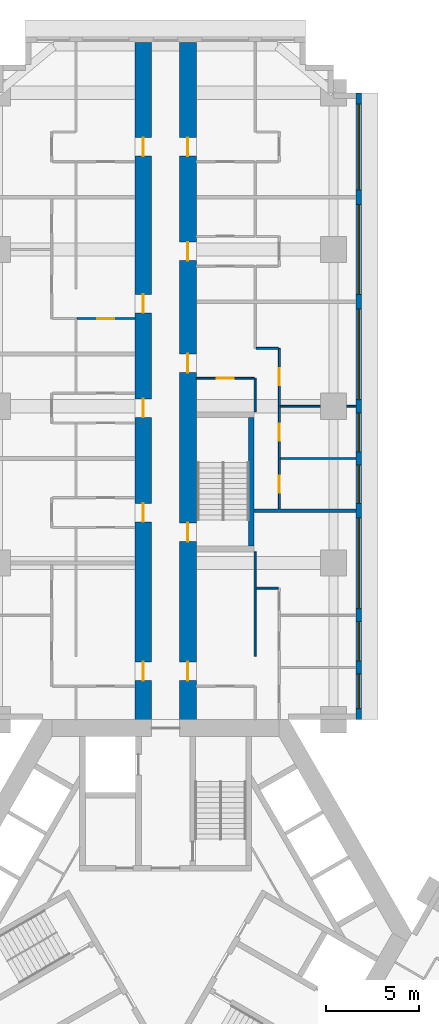
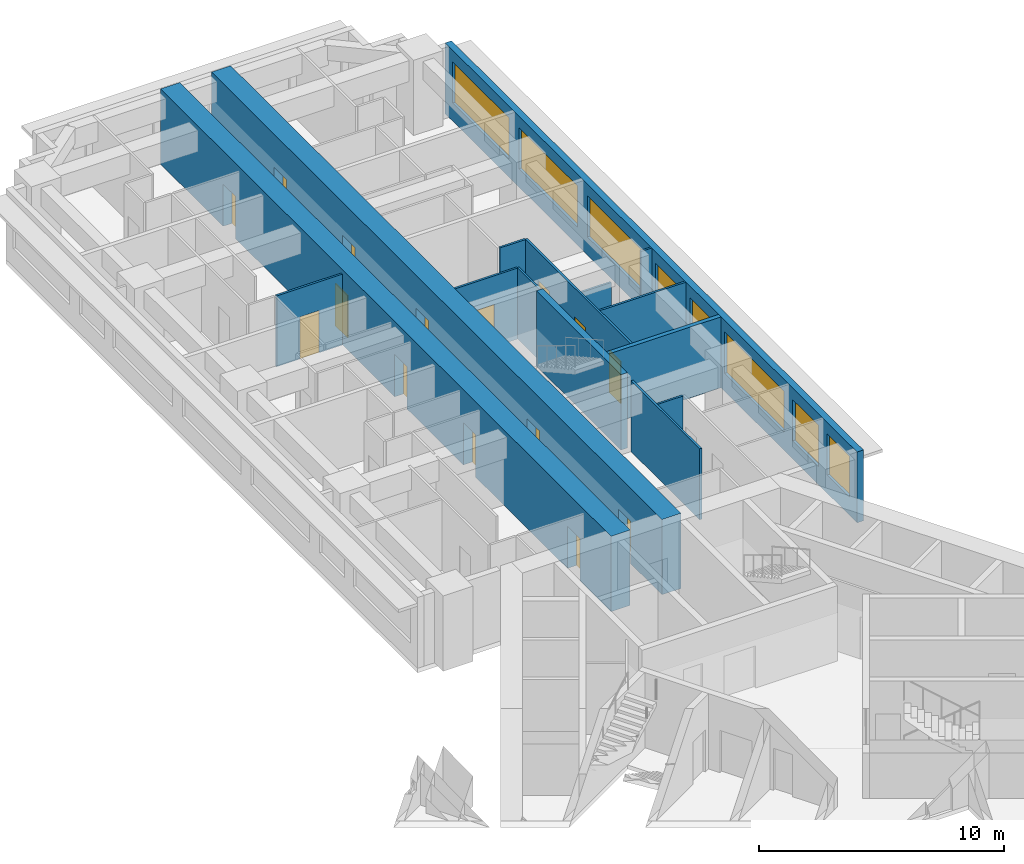
# One storey, part 10 of 16: 15 doors, 15 walls, 8 windows, 23 openings.
"""IFC4 building model written with IfcOpenShell, lengths in metres."""

from ifc_helpers import new_model, si_unit, direction, frame, frame_2d, origin, place, context, subcontext, project, spatial, rectangle, extrude, material, layer, layer_set, type_object, element, fill, save


model = new_model("IFC4")

# Units and contexts
model_context = context("Model", 3, precision=1e-05, world=origin(), true_north=direction((0.0, 1.0)))
body_context = subcontext(model_context, "Body", "Model", "MODEL_VIEW")
ifc_project = project(units=[si_unit("LENGTHUNIT", "METRE"), si_unit("AREAUNIT", "SQUARE_METRE"), si_unit("VOLUMEUNIT", "CUBIC_METRE"), si_unit("PLANEANGLEUNIT", "RADIAN"), si_unit("MASSUNIT", "GRAM", prefix="KILO")], contexts=[model_context])

# Site, building, storey
site_placement = place(None, origin())
site = spatial("IfcSite", under=ifc_project, at=site_placement, CompositionType="ELEMENT")
building_placement = place(site_placement, origin())
building = spatial("IfcBuilding", under=site, at=building_placement, Name="Impinga Residences", CompositionType="ELEMENT")
storey_placement = place(building_placement, frame((0.0, 0.0, 59.75)))
storey = spatial("IfcBuildingStorey", under=building, at=storey_placement, Name="L14", CompositionType="ELEMENT", Elevation=59.75)

# Wall, openings, doors
ifc_material_1 = material(Name="Concrete C70/85", Category="concrete")
ifc_layer_1 = layer(ifc_material_1, 0.89990234375)
ifc_layer_set_1 = layer_set([ifc_layer_1], Name="Concrete C70/85")
wall_type_1 = type_object("IfcWallType", Name="BW1 corridor buttress wall, L05 to L22 900", PredefinedType="SHEAR", material=ifc_layer_set_1)
wall_1_placement = place(storey_placement, frame((-1.199951171875, 10.9814453125, 0.0), z_axis=(0.0, 0.0, 1.0), x_axis=(0.0, 1.0, 0.0)))
wall_1 = element("IfcWall", 1, at=wall_1_placement, inside=storey, type_object=wall_type_1, Name="Corridor wall BW1 NC L14", PredefinedType="SHEAR", context=body_context, shape_type="SweptSolid", body=[
    extrude(rectangle(XDim=36.75, YDim=0.89990234375, at=frame_2d((18.375, 0.0))), origin(), (0.0, 0.0, 1.0), 3.75),
])
opening_1_placement = place(wall_1_placement, frame((2.550048828125, 0.0, 0.0)))
opening_1 = element("IfcOpeningElement", 2, at=opening_1_placement, cuts=wall_1, Name="Opening D1", PredefinedType="OPENING", context=body_context, shape_type="SweptSolid", body=[
    extrude(rectangle(XDim=1.0, YDim=2.10009765625, at=frame_2d((0.5, 1.050048828125))), frame((0.0, 0.4599609375, 0.0), z_axis=(0.0, -1.0, 0.0), x_axis=(1.0, 0.0, 0.0)), (0.0, 0.0, 1.0), 0.919921875),
])
opening_2_placement = place(wall_1_placement, frame((11.050048828125, 0.0, 0.0)))
opening_2 = element("IfcOpeningElement", 3, at=opening_2_placement, cuts=wall_1, Name="Opening D1", PredefinedType="OPENING", context=body_context, shape_type="SweptSolid", body=[
    extrude(rectangle(XDim=1.0, YDim=2.10009765625, at=frame_2d((0.5, 1.050048828125))), frame((0.0, 0.4599609375, 0.0), z_axis=(0.0, -1.0, 0.0), x_axis=(1.0, 0.0, 0.0)), (0.0, 0.0, 1.0), 0.919921875),
])
opening_3_placement = place(wall_1_placement, frame((16.64990234375, 0.0, 0.0)))
opening_3 = element("IfcOpeningElement", 4, at=opening_3_placement, cuts=wall_1, Name="Opening D1", PredefinedType="OPENING", context=body_context, shape_type="SweptSolid", body=[
    extrude(rectangle(XDim=1.0, YDim=2.10009765625, at=frame_2d((0.5, 1.050048828125))), frame((0.0, 0.4599609375, 0.0), z_axis=(0.0, -1.0, 0.0), x_axis=(1.0, 0.0, 0.0)), (0.0, 0.0, 1.0), 0.919921875),
])
opening_4_placement = place(wall_1_placement, frame((22.25, 0.0, 0.0)))
opening_4 = element("IfcOpeningElement", 5, at=opening_4_placement, cuts=wall_1, Name="Opening D1", PredefinedType="OPENING", context=body_context, shape_type="SweptSolid", body=[
    extrude(rectangle(XDim=1.0, YDim=2.10009765625, at=frame_2d((0.5, 1.050048828125))), frame((0.0, 0.4599609375, 0.0), z_axis=(0.0, -1.0, 0.0), x_axis=(1.0, 0.0, 0.0)), (0.0, 0.0, 1.0), 0.919921875),
])
opening_5_placement = place(wall_1_placement, frame((30.64990234375, 0.0, 0.0)))
opening_5 = element("IfcOpeningElement", 6, at=opening_5_placement, cuts=wall_1, Name="Opening D1", PredefinedType="OPENING", context=body_context, shape_type="SweptSolid", body=[
    extrude(rectangle(XDim=1.0, YDim=2.10009765625, at=frame_2d((0.5, 1.050048828125))), frame((0.0, 0.4599609375, 0.0), z_axis=(0.0, -1.0, 0.0), x_axis=(1.0, 0.0, 0.0)), (0.0, 0.0, 1.0), 0.919921875),
])
ifc_material_2 = material(Name="Timber door set", Category="wood")
door_type_1 = type_object("IfcDoorType", Name="D1 apartment entrance door 1000x2100", OperationType="SINGLE_SWING_LEFT", PredefinedType="DOOR", material=ifc_material_2)
door_1_placement = place(opening_1_placement, origin())
door_1 = element("IfcDoor", 7, at=door_1_placement, inside=storey, type_object=door_type_1, Name="Apartment L14-NA1 entrance", OperationType="SINGLE_SWING_LEFT", OverallHeight=2.10009765625, OverallWidth=1.0, PredefinedType="DOOR", context=body_context, shape_type="SweptSolid", body=[
    extrude(rectangle(XDim=1.0, YDim=2.10009765625, at=frame_2d((0.5, 1.050048828125))), frame((0.0, 0.02490234375, 0.0), z_axis=(0.0, -1.0, 0.0), x_axis=(1.0, 0.0, 0.0)), (0.0, 0.0, 1.0), 0.050048828125),
])
fill(opening_1, door_1)
door_2_placement = place(opening_2_placement, origin())
door_2 = element("IfcDoor", 8, at=door_2_placement, inside=storey, type_object=door_type_1, Name="Apartment L14-NA2 entrance", OperationType="SINGLE_SWING_LEFT", OverallHeight=2.10009765625, OverallWidth=1.0, PredefinedType="DOOR", context=body_context, shape_type="SweptSolid", body=[
    extrude(rectangle(XDim=1.0, YDim=2.10009765625, at=frame_2d((0.5, 1.050048828125))), frame((0.0, 0.02490234375, 0.0), z_axis=(0.0, -1.0, 0.0), x_axis=(1.0, 0.0, 0.0)), (0.0, 0.0, 1.0), 0.050048828125),
])
fill(opening_2, door_2)
door_3_placement = place(opening_3_placement, origin())
door_3 = element("IfcDoor", 9, at=door_3_placement, inside=storey, type_object=door_type_1, Name="Apartment L14-NA3 entrance", OperationType="SINGLE_SWING_LEFT", OverallHeight=2.10009765625, OverallWidth=1.0, PredefinedType="DOOR", context=body_context, shape_type="SweptSolid", body=[
    extrude(rectangle(XDim=1.0, YDim=2.10009765625, at=frame_2d((0.5, 1.050048828125))), frame((0.0, 0.02490234375, 0.0), z_axis=(0.0, -1.0, 0.0), x_axis=(1.0, 0.0, 0.0)), (0.0, 0.0, 1.0), 0.050048828125),
])
fill(opening_3, door_3)
door_4_placement = place(opening_4_placement, origin())
door_4 = element("IfcDoor", 10, at=door_4_placement, inside=storey, type_object=door_type_1, Name="Apartment L14-NA4 entrance", OperationType="SINGLE_SWING_RIGHT", OverallHeight=2.10009765625, OverallWidth=1.0, PredefinedType="DOOR", context=body_context, shape_type="SweptSolid", body=[
    extrude(rectangle(XDim=1.0, YDim=2.10009765625, at=frame_2d((0.5, 1.050048828125))), frame((0.0, 0.02490234375, 0.0), z_axis=(0.0, -1.0, 0.0), x_axis=(1.0, 0.0, 0.0)), (0.0, 0.0, 1.0), 0.050048828125),
])
fill(opening_4, door_4)
door_5_placement = place(opening_5_placement, origin())
door_5 = element("IfcDoor", 11, at=door_5_placement, inside=storey, type_object=door_type_1, Name="Apartment L14-NA5 entrance", OperationType="SINGLE_SWING_RIGHT", OverallHeight=2.10009765625, OverallWidth=1.0, PredefinedType="DOOR", context=body_context, shape_type="SweptSolid", body=[
    extrude(rectangle(XDim=1.0, YDim=2.10009765625, at=frame_2d((0.5, 1.050048828125))), frame((0.0, 0.02490234375, 0.0), z_axis=(0.0, -1.0, 0.0), x_axis=(1.0, 0.0, 0.0)), (0.0, 0.0, 1.0), 0.050048828125),
])
fill(opening_5, door_5)

wall_2_placement = place(storey_placement, frame((1.199951171875, 10.9814453125, 0.0), z_axis=(0.0, 0.0, 1.0), x_axis=(0.0, 1.0, 0.0)))
wall_2 = element("IfcWall", 12, at=wall_2_placement, inside=storey, type_object=wall_type_1, Name="Corridor wall BW1 ND L14", PredefinedType="SHEAR", context=body_context, shape_type="SweptSolid", body=[
    extrude(rectangle(XDim=36.75, YDim=0.89990234375, at=frame_2d((18.375, 0.0))), origin(), (0.0, 0.0, 1.0), 3.75),
])
opening_6_placement = place(wall_2_placement, frame((10.0, 0.0, 0.0)))
opening_6 = element("IfcOpeningElement", 13, at=opening_6_placement, cuts=wall_2, Name="Opening D5", PredefinedType="OPENING", context=body_context, shape_type="SweptSolid", body=[
    extrude(rectangle(XDim=1.0, YDim=2.10009765625, at=frame_2d((0.5, 1.050048828125))), frame((0.0, 0.4599609375, 0.0), z_axis=(0.0, -1.0, 0.0), x_axis=(1.0, 0.0, 0.0)), (0.0, 0.0, 1.0), 0.919921875),
])
opening_7_placement = place(wall_2_placement, frame((2.550048828125, 0.0, 0.0)))
opening_7 = element("IfcOpeningElement", 14, at=opening_7_placement, cuts=wall_2, Name="Opening D1", PredefinedType="OPENING", context=body_context, shape_type="SweptSolid", body=[
    extrude(rectangle(XDim=1.0, YDim=2.10009765625, at=frame_2d((0.5, 1.050048828125))), frame((0.0, 0.4599609375, 0.0), z_axis=(0.0, -1.0, 0.0), x_axis=(1.0, 0.0, 0.0)), (0.0, 0.0, 1.0), 0.919921875),
])
opening_8_placement = place(wall_2_placement, frame((19.050048828125, 0.0, 0.0)))
opening_8 = element("IfcOpeningElement", 15, at=opening_8_placement, cuts=wall_2, Name="Opening D1", PredefinedType="OPENING", context=body_context, shape_type="SweptSolid", body=[
    extrude(rectangle(XDim=1.0, YDim=2.10009765625, at=frame_2d((0.5, 1.050048828125))), frame((0.0, 0.4599609375, 0.0), z_axis=(0.0, -1.0, 0.0), x_axis=(1.0, 0.0, 0.0)), (0.0, 0.0, 1.0), 0.919921875),
])
opening_9_placement = place(wall_2_placement, frame((25.050048828125, 0.0, 0.0)))
opening_9 = element("IfcOpeningElement", 16, at=opening_9_placement, cuts=wall_2, Name="Opening D1", PredefinedType="OPENING", context=body_context, shape_type="SweptSolid", body=[
    extrude(rectangle(XDim=1.0, YDim=2.10009765625, at=frame_2d((0.5, 1.050048828125))), frame((0.0, 0.4599609375, 0.0), z_axis=(0.0, -1.0, 0.0), x_axis=(1.0, 0.0, 0.0)), (0.0, 0.0, 1.0), 0.919921875),
])
opening_10_placement = place(wall_2_placement, frame((30.64990234375, 0.0, 0.0)))
opening_10 = element("IfcOpeningElement", 17, at=opening_10_placement, cuts=wall_2, Name="Opening D1", PredefinedType="OPENING", context=body_context, shape_type="SweptSolid", body=[
    extrude(rectangle(XDim=1.0, YDim=2.10009765625, at=frame_2d((0.5, 1.050048828125))), frame((0.0, 0.4599609375, 0.0), z_axis=(0.0, -1.0, 0.0), x_axis=(1.0, 0.0, 0.0)), (0.0, 0.0, 1.0), 0.919921875),
])
door_6_placement = place(opening_7_placement, origin())
door_6 = element("IfcDoor", 18, at=door_6_placement, inside=storey, type_object=door_type_1, Name="Apartment L14-NF1 entrance", OperationType="SINGLE_SWING_LEFT", OverallHeight=2.10009765625, OverallWidth=1.0, PredefinedType="DOOR", context=body_context, shape_type="SweptSolid", body=[
    extrude(rectangle(XDim=1.0, YDim=2.10009765625, at=frame_2d((0.5, 1.050048828125))), frame((0.0, 0.02490234375, 0.0), z_axis=(0.0, -1.0, 0.0), x_axis=(1.0, 0.0, 0.0)), (0.0, 0.0, 1.0), 0.050048828125),
])
fill(opening_7, door_6)
door_7_placement = place(opening_8_placement, origin())
door_7 = element("IfcDoor", 19, at=door_7_placement, inside=storey, type_object=door_type_1, Name="Apartment L14-NF2 entrance", OperationType="SINGLE_SWING_RIGHT", OverallHeight=2.10009765625, OverallWidth=1.0, PredefinedType="DOOR", context=body_context, shape_type="SweptSolid", body=[
    extrude(rectangle(XDim=1.0, YDim=2.10009765625, at=frame_2d((0.5, 1.050048828125))), frame((0.0, 0.02490234375, 0.0), z_axis=(0.0, -1.0, 0.0), x_axis=(1.0, 0.0, 0.0)), (0.0, 0.0, 1.0), 0.050048828125),
])
fill(opening_8, door_7)
door_8_placement = place(opening_9_placement, origin())
door_8 = element("IfcDoor", 20, at=door_8_placement, inside=storey, type_object=door_type_1, Name="Apartment L14-NF3 entrance", OperationType="SINGLE_SWING_RIGHT", OverallHeight=2.10009765625, OverallWidth=1.0, PredefinedType="DOOR", context=body_context, shape_type="SweptSolid", body=[
    extrude(rectangle(XDim=1.0, YDim=2.10009765625, at=frame_2d((0.5, 1.050048828125))), frame((0.0, 0.02490234375, 0.0), z_axis=(0.0, -1.0, 0.0), x_axis=(1.0, 0.0, 0.0)), (0.0, 0.0, 1.0), 0.050048828125),
])
fill(opening_9, door_8)
door_9_placement = place(opening_10_placement, origin())
door_9 = element("IfcDoor", 21, at=door_9_placement, inside=storey, type_object=door_type_1, Name="Apartment L14-NF4 entrance", OperationType="SINGLE_SWING_RIGHT", OverallHeight=2.10009765625, OverallWidth=1.0, PredefinedType="DOOR", context=body_context, shape_type="SweptSolid", body=[
    extrude(rectangle(XDim=1.0, YDim=2.10009765625, at=frame_2d((0.5, 1.050048828125))), frame((0.0, 0.02490234375, 0.0), z_axis=(0.0, -1.0, 0.0), x_axis=(1.0, 0.0, 0.0)), (0.0, 0.0, 1.0), 0.050048828125),
])
fill(opening_10, door_9)
door_type_2 = type_object("IfcDoorType", Name="D5 stair door 1000x2100", OperationType="SINGLE_SWING_LEFT", PredefinedType="DOOR", material=ifc_material_2)
door_10_placement = place(opening_6_placement, origin())
door_10 = element("IfcDoor", 22, at=door_10_placement, inside=storey, type_object=door_type_2, Name="Wing stair door N", OperationType="SINGLE_SWING_LEFT", OverallHeight=2.10009765625, OverallWidth=1.0, PredefinedType="DOOR", context=body_context, shape_type="SweptSolid", body=[
    extrude(rectangle(XDim=1.0, YDim=2.10009765625, at=frame_2d((0.5, 1.050048828125))), frame((0.0, 0.02490234375, 0.0), z_axis=(0.0, -1.0, 0.0), x_axis=(1.0, 0.0, 0.0)), (0.0, 0.0, 1.0), 0.050048828125),
])
fill(opening_6, door_10)

# Wall, openings, windows
ifc_material_3 = material(Name="Terracotta rainscreen on blockwork", Category="masonry")
ifc_layer_2 = layer(ifc_material_3, 0.300048828125)
ifc_layer_set_2 = layer_set([ifc_layer_2], Name="EW1 external wall, terracotta rainscreen on blockwork 300")
wall_type_2 = type_object("IfcWallType", Name="EW1 external wall, terracotta rainscreen on blockwork 300", PredefinedType="SOLIDWALL", material=ifc_layer_set_2)
wall_3_placement = place(storey_placement, frame((10.35009765625, 45.031494140625, 0.0), z_axis=(0.0, 0.0, 1.0), x_axis=(0.0, -1.0, 0.0)))
wall_3 = element("IfcWall", 23, at=wall_3_placement, inside=storey, type_object=wall_type_2, Name="External wall EW1 L14", PredefinedType="SOLIDWALL", context=body_context, shape_type="SweptSolid", body=[
    extrude(rectangle(XDim=33.599853515625, YDim=0.300048828125, at=frame_2d((16.7998046875, 0.0))), origin(), (0.0, 0.0, 1.0), 3.530029296875),
])
opening_11_placement = place(wall_3_placement, frame((0.60009765625, 0.0, 0.89990234375)))
opening_11 = element("IfcOpeningElement", 24, at=opening_11_placement, cuts=wall_3, Name="Opening W3", PredefinedType="OPENING", context=body_context, shape_type="SweptSolid", body=[
    extrude(rectangle(XDim=4.60009765625, YDim=2.050048828125, at=frame_2d((2.300048828125, 1.02490234375))), frame((0.0, 0.159912109375, 0.0), z_axis=(0.0, -1.0, 0.0), x_axis=(1.0, 0.0, 0.0)), (0.0, 0.0, 1.0), 0.320068359375),
])
opening_12_placement = place(wall_3_placement, frame((6.0, 0.0, 0.89990234375)))
opening_12 = element("IfcOpeningElement", 25, at=opening_12_placement, cuts=wall_3, Name="Opening W8", PredefinedType="OPENING", context=body_context, shape_type="SweptSolid", body=[
    extrude(rectangle(XDim=4.800048828125, YDim=2.050048828125, at=frame_2d((2.39990234375, 1.02490234375))), frame((0.0, 0.159912109375, 0.0), z_axis=(0.0, -1.0, 0.0), x_axis=(1.0, 0.0, 0.0)), (0.0, 0.0, 1.0), 0.320068359375),
])
opening_13_placement = place(wall_3_placement, frame((11.60009765625, 0.0, 0.89990234375)))
opening_13 = element("IfcOpeningElement", 26, at=opening_13_placement, cuts=wall_3, Name="Opening W6", PredefinedType="OPENING", context=body_context, shape_type="SweptSolid", body=[
    extrude(rectangle(XDim=4.85009765625, YDim=2.050048828125, at=frame_2d((2.425048828125, 1.02490234375))), frame((0.0, 0.159912109375, 0.0), z_axis=(0.0, -1.0, 0.0), x_axis=(1.0, 0.0, 0.0)), (0.0, 0.0, 1.0), 0.320068359375),
])
opening_14_placement = place(wall_3_placement, frame((17.14990234375, 0.0, 0.89990234375)))
opening_14 = element("IfcOpeningElement", 27, at=opening_14_placement, cuts=wall_3, Name="Opening W9", PredefinedType="OPENING", context=body_context, shape_type="SweptSolid", body=[
    extrude(rectangle(XDim=2.10009765625, YDim=2.050048828125, at=frame_2d((1.050048828125, 1.02490234375))), frame((0.0, 0.159912109375, 0.0), z_axis=(0.0, -1.0, 0.0), x_axis=(1.0, 0.0, 0.0)), (0.0, 0.0, 1.0), 0.320068359375),
])
opening_15_placement = place(wall_3_placement, frame((19.949951171875, 0.0, 0.89990234375)))
opening_15 = element("IfcOpeningElement", 28, at=opening_15_placement, cuts=wall_3, Name="Opening W14", PredefinedType="OPENING", context=body_context, shape_type="SweptSolid", body=[
    extrude(rectangle(XDim=2.050048828125, YDim=2.050048828125, at=frame_2d((1.02490234375, 1.02490234375))), frame((0.0, 0.159912109375, 0.0), z_axis=(0.0, -1.0, 0.0), x_axis=(1.0, 0.0, 0.0)), (0.0, 0.0, 1.0), 0.320068359375),
])
opening_16_placement = place(wall_3_placement, frame((22.800048828125, 0.0, 0.89990234375)))
opening_16 = element("IfcOpeningElement", 29, at=opening_16_placement, cuts=wall_3, Name="Opening W6", PredefinedType="OPENING", context=body_context, shape_type="SweptSolid", body=[
    extrude(rectangle(XDim=4.85009765625, YDim=2.050048828125, at=frame_2d((2.425048828125, 1.02490234375))), frame((0.0, 0.159912109375, 0.0), z_axis=(0.0, -1.0, 0.0), x_axis=(1.0, 0.0, 0.0)), (0.0, 0.0, 1.0), 0.320068359375),
])
opening_17_placement = place(wall_3_placement, frame((28.35009765625, 0.0, 0.89990234375)))
opening_17 = element("IfcOpeningElement", 30, at=opening_17_placement, cuts=wall_3, Name="Opening W9", PredefinedType="OPENING", context=body_context, shape_type="SweptSolid", body=[
    extrude(rectangle(XDim=2.10009765625, YDim=2.050048828125, at=frame_2d((1.050048828125, 1.02490234375))), frame((0.0, 0.159912109375, 0.0), z_axis=(0.0, -1.0, 0.0), x_axis=(1.0, 0.0, 0.0)), (0.0, 0.0, 1.0), 0.320068359375),
])
opening_18_placement = place(wall_3_placement, frame((31.14990234375, 0.0, 0.89990234375)))
opening_18 = element("IfcOpeningElement", 31, at=opening_18_placement, cuts=wall_3, Name="Opening W15", PredefinedType="OPENING", context=body_context, shape_type="SweptSolid", body=[
    extrude(rectangle(XDim=1.85009765625, YDim=2.050048828125, at=frame_2d((0.925048828125, 1.02490234375))), frame((0.0, 0.159912109375, 0.0), z_axis=(0.0, -1.0, 0.0), x_axis=(1.0, 0.0, 0.0)), (0.0, 0.0, 1.0), 0.320068359375),
])
ifc_material_4 = material(Name="Aluminium window, clear double glazing", Category="aluminium")
window_type_1 = type_object("IfcWindowType", Name="W14 ribbon window 2050x2050", PartitioningType="SINGLE_PANEL", PredefinedType="WINDOW", material=ifc_material_4)
window_1_placement = place(opening_15_placement, origin())
window_1 = element("IfcWindow", 32, at=window_1_placement, inside=storey, type_object=window_type_1, Name="Window L14", OverallHeight=2.050048828125, OverallWidth=2.050048828125, PartitioningType="SINGLE_PANEL", PredefinedType="WINDOW", context=body_context, shape_type="SweptSolid", body=[
    extrude(rectangle(XDim=2.050048828125, YDim=2.050048828125, at=frame_2d((1.02490234375, 1.02490234375))), frame((0.0, 0.030029296875, 0.0), z_axis=(0.0, -1.0, 0.0), x_axis=(1.0, 0.0, 0.0)), (0.0, 0.0, 1.0), 0.06005859375),
])
fill(opening_15, window_1)
window_type_2 = type_object("IfcWindowType", Name="W15 ribbon window 1850x2050", PartitioningType="SINGLE_PANEL", PredefinedType="WINDOW", material=ifc_material_4)
window_2_placement = place(opening_18_placement, origin())
window_2 = element("IfcWindow", 33, at=window_2_placement, inside=storey, type_object=window_type_2, Name="Window L14", OverallHeight=2.050048828125, OverallWidth=1.85009765625, PartitioningType="SINGLE_PANEL", PredefinedType="WINDOW", context=body_context, shape_type="SweptSolid", body=[
    extrude(rectangle(XDim=1.85009765625, YDim=2.050048828125, at=frame_2d((0.925048828125, 1.02490234375))), frame((0.0, 0.030029296875, 0.0), z_axis=(0.0, -1.0, 0.0), x_axis=(1.0, 0.0, 0.0)), (0.0, 0.0, 1.0), 0.06005859375),
])
fill(opening_18, window_2)
window_type_3 = type_object("IfcWindowType", Name="W3 ribbon window 4600x2050", PartitioningType="SINGLE_PANEL", PredefinedType="WINDOW", material=ifc_material_4)
window_3_placement = place(opening_11_placement, origin())
window_3 = element("IfcWindow", 34, at=window_3_placement, inside=storey, type_object=window_type_3, Name="Window L14", OverallHeight=2.050048828125, OverallWidth=4.60009765625, PartitioningType="SINGLE_PANEL", PredefinedType="WINDOW", context=body_context, shape_type="SweptSolid", body=[
    extrude(rectangle(XDim=4.60009765625, YDim=2.050048828125, at=frame_2d((2.300048828125, 1.02490234375))), frame((0.0, 0.030029296875, 0.0), z_axis=(0.0, -1.0, 0.0), x_axis=(1.0, 0.0, 0.0)), (0.0, 0.0, 1.0), 0.06005859375),
])
fill(opening_11, window_3)
window_type_4 = type_object("IfcWindowType", Name="W6 ribbon window 4850x2050", PartitioningType="SINGLE_PANEL", PredefinedType="WINDOW", material=ifc_material_4)
window_4_placement = place(opening_13_placement, origin())
window_4 = element("IfcWindow", 35, at=window_4_placement, inside=storey, type_object=window_type_4, Name="Window L14", OverallHeight=2.050048828125, OverallWidth=4.85009765625, PartitioningType="SINGLE_PANEL", PredefinedType="WINDOW", context=body_context, shape_type="SweptSolid", body=[
    extrude(rectangle(XDim=4.85009765625, YDim=2.050048828125, at=frame_2d((2.425048828125, 1.02490234375))), frame((0.0, 0.030029296875, 0.0), z_axis=(0.0, -1.0, 0.0), x_axis=(1.0, 0.0, 0.0)), (0.0, 0.0, 1.0), 0.06005859375),
])
fill(opening_13, window_4)
window_5_placement = place(opening_16_placement, origin())
window_5 = element("IfcWindow", 36, at=window_5_placement, inside=storey, type_object=window_type_4, Name="Window L14", OverallHeight=2.050048828125, OverallWidth=4.85009765625, PartitioningType="SINGLE_PANEL", PredefinedType="WINDOW", context=body_context, shape_type="SweptSolid", body=[
    extrude(rectangle(XDim=4.85009765625, YDim=2.050048828125, at=frame_2d((2.425048828125, 1.02490234375))), frame((0.0, 0.030029296875, 0.0), z_axis=(0.0, -1.0, 0.0), x_axis=(1.0, 0.0, 0.0)), (0.0, 0.0, 1.0), 0.06005859375),
])
fill(opening_16, window_5)
window_type_5 = type_object("IfcWindowType", Name="W8 ribbon window 4800x2050", PartitioningType="SINGLE_PANEL", PredefinedType="WINDOW", material=ifc_material_4)
window_6_placement = place(opening_12_placement, origin())
window_6 = element("IfcWindow", 37, at=window_6_placement, inside=storey, type_object=window_type_5, Name="Window L14", OverallHeight=2.050048828125, OverallWidth=4.800048828125, PartitioningType="SINGLE_PANEL", PredefinedType="WINDOW", context=body_context, shape_type="SweptSolid", body=[
    extrude(rectangle(XDim=4.800048828125, YDim=2.050048828125, at=frame_2d((2.39990234375, 1.02490234375))), frame((0.0, 0.030029296875, 0.0), z_axis=(0.0, -1.0, 0.0), x_axis=(1.0, 0.0, 0.0)), (0.0, 0.0, 1.0), 0.06005859375),
])
fill(opening_12, window_6)
window_type_6 = type_object("IfcWindowType", Name="W9 ribbon window 2100x2050", PartitioningType="SINGLE_PANEL", PredefinedType="WINDOW", material=ifc_material_4)
window_7_placement = place(opening_14_placement, origin())
window_7 = element("IfcWindow", 38, at=window_7_placement, inside=storey, type_object=window_type_6, Name="Window L14", OverallHeight=2.050048828125, OverallWidth=2.10009765625, PartitioningType="SINGLE_PANEL", PredefinedType="WINDOW", context=body_context, shape_type="SweptSolid", body=[
    extrude(rectangle(XDim=2.10009765625, YDim=2.050048828125, at=frame_2d((1.050048828125, 1.02490234375))), frame((0.0, 0.030029296875, 0.0), z_axis=(0.0, -1.0, 0.0), x_axis=(1.0, 0.0, 0.0)), (0.0, 0.0, 1.0), 0.06005859375),
])
fill(opening_14, window_7)
window_8_placement = place(opening_17_placement, origin())
window_8 = element("IfcWindow", 39, at=window_8_placement, inside=storey, type_object=window_type_6, Name="Window L14", OverallHeight=2.050048828125, OverallWidth=2.10009765625, PartitioningType="SINGLE_PANEL", PredefinedType="WINDOW", context=body_context, shape_type="SweptSolid", body=[
    extrude(rectangle(XDim=2.10009765625, YDim=2.050048828125, at=frame_2d((1.050048828125, 1.02490234375))), frame((0.0, 0.030029296875, 0.0), z_axis=(0.0, -1.0, 0.0), x_axis=(1.0, 0.0, 0.0)), (0.0, 0.0, 1.0), 0.06005859375),
])
fill(opening_17, window_8)

# Wall, opening, door
ifc_material_5 = material(Name="Gypsum board on steel studs", Category="steel")
ifc_layer_3 = layer(ifc_material_5, 0.10009765625)
ifc_layer_set_3 = layer_set([ifc_layer_3], Name="Gypsum board on steel studs")
wall_type_3 = type_object("IfcWallType", Name="IP1 partition 100", PredefinedType="PARTITIONING", material=ifc_layer_set_3)
wall_4_placement = place(storey_placement, frame((-1.64990234375, 32.931640625, 0.0), z_axis=(0.0, 0.0, 1.0), x_axis=(-1.0, 0.0, 0.0)))
wall_4 = element("IfcWall", 40, at=wall_4_placement, inside=storey, type_object=wall_type_3, Name="Partition L14-NA4:IB1", PredefinedType="PARTITIONING", context=body_context, shape_type="SweptSolid", body=[
    extrude(rectangle(XDim=3.10009765625, YDim=0.10009765625, at=frame_2d((1.550048828125, 0.0))), origin(), (0.0, 0.0, 1.0), 3.530029296875),
])
opening_19_placement = place(wall_4_placement, frame((1.10009765625, 0.0, 0.0)))
opening_19 = element("IfcOpeningElement", 41, at=opening_19_placement, cuts=wall_4, Name="Opening D2", PredefinedType="OPENING", context=body_context, shape_type="SweptSolid", body=[
    extrude(rectangle(XDim=0.89990234375, YDim=2.10009765625, at=frame_2d((0.449951171875, 1.050048828125))), frame((0.0, 0.06005859375, 0.0), z_axis=(0.0, -1.0, 0.0), x_axis=(1.0, 0.0, 0.0)), (0.0, 0.0, 1.0), 0.1201171875),
])
door_type_3 = type_object("IfcDoorType", Name="D2 internal door 900x2100", OperationType="SINGLE_SWING_LEFT", PredefinedType="DOOR", material=ifc_material_2)
door_11_placement = place(opening_19_placement, origin())
door_11 = element("IfcDoor", 42, at=door_11_placement, inside=storey, type_object=door_type_3, Name="Apartment L14-NA4 bathroom door", OperationType="SINGLE_SWING_LEFT", OverallHeight=2.10009765625, OverallWidth=0.89990234375, PredefinedType="DOOR", context=body_context, shape_type="SweptSolid", body=[
    extrude(rectangle(XDim=0.89990234375, YDim=2.10009765625, at=frame_2d((0.449951171875, 1.050048828125))), frame((0.0, 0.02490234375, 0.0), z_axis=(0.0, -1.0, 0.0), x_axis=(1.0, 0.0, 0.0)), (0.0, 0.0, 1.0), 0.050048828125),
])
fill(opening_19, door_11)

# Walls
wall_5_placement = place(storey_placement, frame((4.800048828125, 14.83154296875, 0.0), z_axis=(0.0, 0.0, 1.0), x_axis=(0.0, 1.0, 0.0)))
element("IfcWall", 43, at=wall_5_placement, inside=storey, type_object=wall_type_3, Name="Partition L14-NF1:DIV1", PredefinedType="PARTITIONING", context=body_context, shape_type="SweptSolid", body=[
    extrude(rectangle(XDim=5.60009765625, YDim=0.10009765625, at=frame_2d((2.800048828125, 0.0))), origin(), (0.0, 0.0, 1.0), 3.530029296875),
])
wall_6_placement = place(storey_placement, frame((4.85009765625, 18.4814453125, 0.0), z_axis=(0.0, 0.0, 1.0), x_axis=(1.0, 0.0, 0.0)))
element("IfcWall", 44, at=wall_6_placement, inside=storey, type_object=wall_type_3, Name="Partition L14-NF1:SE1", PredefinedType="PARTITIONING", context=body_context, shape_type="SweptSolid", body=[
    extrude(rectangle(XDim=1.199951171875, YDim=0.10009765625, at=frame_2d((0.60009765625, 0.0))), origin(), (0.0, 0.0, 1.0), 3.530029296875),
])
wall_7_placement = place(storey_placement, frame((4.800048828125, 27.931640625, 0.0), z_axis=(0.0, 0.0, 1.0), x_axis=(0.0, 1.0, 0.0)))
element("IfcWall", 45, at=wall_7_placement, inside=storey, type_object=wall_type_3, Name="Partition L14-NF2:DIV0", PredefinedType="PARTITIONING", context=body_context, shape_type="SweptSolid", body=[
    extrude(rectangle(XDim=1.7998046875, YDim=0.10009765625, at=frame_2d((0.89990234375, 0.0))), origin(), (0.0, 0.0, 1.0), 3.530029296875),
])

# Wall, openings, doors
wall_8_placement = place(storey_placement, frame((6.10009765625, 22.7314453125, 0.0), z_axis=(0.0, 0.0, 1.0), x_axis=(0.0, 1.0, 0.0)))
wall_8 = element("IfcWall", 46, at=wall_8_placement, inside=storey, type_object=wall_type_3, Name="Partition L14-NF2:STRIP", PredefinedType="PARTITIONING", context=body_context, shape_type="SweptSolid", body=[
    extrude(rectangle(XDim=8.60009765625, YDim=0.10009765625, at=frame_2d((4.300048828125, 0.0))), origin(), (0.0, 0.0, 1.0), 3.530029296875),
])
opening_20_placement = place(wall_8_placement, frame((0.875, 0.0, 0.0)))
opening_20 = element("IfcOpeningElement", 47, at=opening_20_placement, cuts=wall_8, Name="Opening D2", PredefinedType="OPENING", context=body_context, shape_type="SweptSolid", body=[
    extrude(rectangle(XDim=0.89990234375, YDim=2.10009765625, at=frame_2d((0.449951171875, 1.050048828125))), frame((0.0, 0.06005859375, 0.0), z_axis=(0.0, -1.0, 0.0), x_axis=(1.0, 0.0, 0.0)), (0.0, 0.0, 1.0), 0.1201171875),
])
opening_21_placement = place(wall_8_placement, frame((3.64990234375, 0.0, 0.0)))
opening_21 = element("IfcOpeningElement", 48, at=opening_21_placement, cuts=wall_8, Name="Opening D2", PredefinedType="OPENING", context=body_context, shape_type="SweptSolid", body=[
    extrude(rectangle(XDim=0.89990234375, YDim=2.10009765625, at=frame_2d((0.449951171875, 1.050048828125))), frame((0.0, 0.06005859375, 0.0), z_axis=(0.0, -1.0, 0.0), x_axis=(1.0, 0.0, 0.0)), (0.0, 0.0, 1.0), 0.1201171875),
])
opening_22_placement = place(wall_8_placement, frame((6.625, 0.0, 0.0)))
opening_22 = element("IfcOpeningElement", 49, at=opening_22_placement, cuts=wall_8, Name="Opening D2", PredefinedType="OPENING", context=body_context, shape_type="SweptSolid", body=[
    extrude(rectangle(XDim=0.89990234375, YDim=2.10009765625, at=frame_2d((0.449951171875, 1.050048828125))), frame((0.0, 0.06005859375, 0.0), z_axis=(0.0, -1.0, 0.0), x_axis=(1.0, 0.0, 0.0)), (0.0, 0.0, 1.0), 0.1201171875),
])
door_12_placement = place(opening_20_placement, origin())
door_12 = element("IfcDoor", 50, at=door_12_placement, inside=storey, type_object=door_type_3, Name="Apartment L14-NF2 room door", OperationType="SINGLE_SWING_LEFT", OverallHeight=2.10009765625, OverallWidth=0.89990234375, PredefinedType="DOOR", context=body_context, shape_type="SweptSolid", body=[
    extrude(rectangle(XDim=0.89990234375, YDim=2.10009765625, at=frame_2d((0.449951171875, 1.050048828125))), frame((0.0, 0.02490234375, 0.0), z_axis=(0.0, -1.0, 0.0), x_axis=(1.0, 0.0, 0.0)), (0.0, 0.0, 1.0), 0.050048828125),
])
fill(opening_20, door_12)
door_13_placement = place(opening_21_placement, origin())
door_13 = element("IfcDoor", 51, at=door_13_placement, inside=storey, type_object=door_type_3, Name="Apartment L14-NF2 room door", OperationType="SINGLE_SWING_LEFT", OverallHeight=2.10009765625, OverallWidth=0.89990234375, PredefinedType="DOOR", context=body_context, shape_type="SweptSolid", body=[
    extrude(rectangle(XDim=0.89990234375, YDim=2.10009765625, at=frame_2d((0.449951171875, 1.050048828125))), frame((0.0, 0.02490234375, 0.0), z_axis=(0.0, -1.0, 0.0), x_axis=(1.0, 0.0, 0.0)), (0.0, 0.0, 1.0), 0.050048828125),
])
fill(opening_21, door_13)
door_14_placement = place(opening_22_placement, origin())
door_14 = element("IfcDoor", 52, at=door_14_placement, inside=storey, type_object=door_type_3, Name="Apartment L14-NF2 room door", OperationType="SINGLE_SWING_RIGHT", OverallHeight=2.10009765625, OverallWidth=0.89990234375, PredefinedType="DOOR", context=body_context, shape_type="SweptSolid", body=[
    extrude(rectangle(XDim=0.89990234375, YDim=2.10009765625, at=frame_2d((0.449951171875, 1.050048828125))), frame((0.0, 0.02490234375, 0.0), z_axis=(0.0, -1.0, 0.0), x_axis=(1.0, 0.0, 0.0)), (0.0, 0.0, 1.0), 0.050048828125),
])
fill(opening_22, door_14)

# Wall
wall_9_placement = place(storey_placement, frame((4.85009765625, 31.33154296875, 0.0), z_axis=(0.0, 0.0, 1.0), x_axis=(1.0, 0.0, 0.0)))
element("IfcWall", 53, at=wall_9_placement, inside=storey, type_object=wall_type_3, Name="Partition L14-NF2:SE1", PredefinedType="PARTITIONING", context=body_context, shape_type="SweptSolid", body=[
    extrude(rectangle(XDim=1.199951171875, YDim=0.10009765625, at=frame_2d((0.60009765625, 0.0))), origin(), (0.0, 0.0, 1.0), 3.530029296875),
])

# Wall, opening, door
wall_10_placement = place(storey_placement, frame((1.64990234375, 29.7314453125, 0.0), z_axis=(0.0, 0.0, 1.0), x_axis=(1.0, 0.0, 0.0)))
wall_10 = element("IfcWall", 54, at=wall_10_placement, inside=storey, type_object=wall_type_3, Name="Partition L14-NF2:IB1", PredefinedType="PARTITIONING", context=body_context, shape_type="SweptSolid", body=[
    extrude(rectangle(XDim=3.10009765625, YDim=0.10009765625, at=frame_2d((1.550048828125, 0.0))), origin(), (0.0, 0.0, 1.0), 3.530029296875),
])
opening_23_placement = place(wall_10_placement, frame((1.10009765625, 0.0, 0.0)))
opening_23 = element("IfcOpeningElement", 55, at=opening_23_placement, cuts=wall_10, Name="Opening D2", PredefinedType="OPENING", context=body_context, shape_type="SweptSolid", body=[
    extrude(rectangle(XDim=0.89990234375, YDim=2.10009765625, at=frame_2d((0.449951171875, 1.050048828125))), frame((0.0, 0.06005859375, 0.0), z_axis=(0.0, -1.0, 0.0), x_axis=(1.0, 0.0, 0.0)), (0.0, 0.0, 1.0), 0.1201171875),
])
door_15_placement = place(opening_23_placement, origin())
door_15 = element("IfcDoor", 56, at=door_15_placement, inside=storey, type_object=door_type_3, Name="Apartment L14-NF2 bathroom door", OperationType="SINGLE_SWING_LEFT", OverallHeight=2.10009765625, OverallWidth=0.89990234375, PredefinedType="DOOR", context=body_context, shape_type="SweptSolid", body=[
    extrude(rectangle(XDim=0.89990234375, YDim=2.10009765625, at=frame_2d((0.449951171875, 1.050048828125))), frame((0.0, 0.02490234375, 0.0), z_axis=(0.0, -1.0, 0.0), x_axis=(1.0, 0.0, 0.0)), (0.0, 0.0, 1.0), 0.050048828125),
])
fill(opening_23, door_15)

# Walls
wall_11_placement = place(storey_placement, frame((6.14990234375, 25.431640625, 0.0), z_axis=(0.0, 0.0, 1.0), x_axis=(1.0, 0.0, 0.0)))
element("IfcWall", 57, at=wall_11_placement, inside=storey, type_object=wall_type_3, Name="Partition L14-NF2:OB1", PredefinedType="PARTITIONING", context=body_context, shape_type="SweptSolid", body=[
    extrude(rectangle(XDim=4.050048828125, YDim=0.10009765625, at=frame_2d((2.02490234375, 0.0))), origin(), (0.0, 0.0, 1.0), 3.530029296875),
])
wall_12_placement = place(storey_placement, frame((6.14990234375, 28.2314453125, 0.0), z_axis=(0.0, 0.0, 1.0), x_axis=(1.0, 0.0, 0.0)))
element("IfcWall", 58, at=wall_12_placement, inside=storey, type_object=wall_type_3, Name="Partition L14-NF2:OB2", PredefinedType="PARTITIONING", context=body_context, shape_type="SweptSolid", body=[
    extrude(rectangle(XDim=2.150146484375, YDim=0.10009765625, at=frame_2d((1.0751953125, 0.0))), origin(), (0.0, 0.0, 1.0), 2.47998046875),
])
wall_13_placement = place(storey_placement, frame((9.699951171875, 28.2314453125, 0.0), z_axis=(0.0, 0.0, 1.0), x_axis=(1.0, 0.0, 0.0)))
element("IfcWall", 59, at=wall_13_placement, inside=storey, type_object=wall_type_3, Name="Partition L14-NF2:OB2b", PredefinedType="PARTITIONING", context=body_context, shape_type="SweptSolid", body=[
    extrude(rectangle(XDim=0.5, YDim=0.10009765625, at=frame_2d((0.25, 0.0))), origin(), (0.0, 0.0, 1.0), 3.530029296875),
])
ifc_material_6 = material(Name="Concrete blockwork", Category="masonry")
ifc_layer_4 = layer(ifc_material_6, 0.199951171875)
ifc_layer_set_4 = layer_set([ifc_layer_4], Name="PW1 party wall between apartments 200")
wall_type_4 = type_object("IfcWallType", Name="PW1 party wall between apartments 200", PredefinedType="SOLIDWALL", material=ifc_layer_set_4)
wall_14_placement = place(storey_placement, frame((4.75, 22.631591796875, 0.0), z_axis=(0.0, 0.0, 1.0), x_axis=(1.0, 0.0, 0.0)))
element("IfcWall", 60, at=wall_14_placement, inside=storey, type_object=wall_type_4, Name="Party wall between apartments L14-NF1:PARTY", PredefinedType="SOLIDWALL", context=body_context, shape_type="SweptSolid", body=[
    extrude(rectangle(XDim=5.449951171875, YDim=0.199951171875, at=frame_2d((2.72509765625, 0.0))), origin(), (0.0, 0.0, 1.0), 3.530029296875),
])
ifc_material_7 = material(Name="Concrete C60/75", Category="concrete")
ifc_layer_5 = layer(ifc_material_7, 0.300048828125)
ifc_layer_set_5 = layer_set([ifc_layer_5], Name="Concrete C60/75")
wall_type_5 = type_object("IfcWallType", Name="SE1 wing stair enclosure wall 300", PredefinedType="SOLIDWALL", material=ifc_layer_set_5)
wall_15_placement = place(storey_placement, frame((4.60009765625, 20.7314453125, 0.0), z_axis=(0.0, 0.0, 1.0), x_axis=(0.0, 1.0, 0.0)))
element("IfcWall", 61, at=wall_15_placement, inside=storey, type_object=wall_type_5, Name="Stair enclosure wall SE1 N OUT L14", PredefinedType="SOLIDWALL", context=body_context, shape_type="SweptSolid", body=[
    extrude(rectangle(XDim=6.900146484375, YDim=0.300048828125, at=frame_2d((3.4501953125, 0.0))), origin(), (0.0, 0.0, 1.0), 3.75),
])

save(model, "model.ifc")
